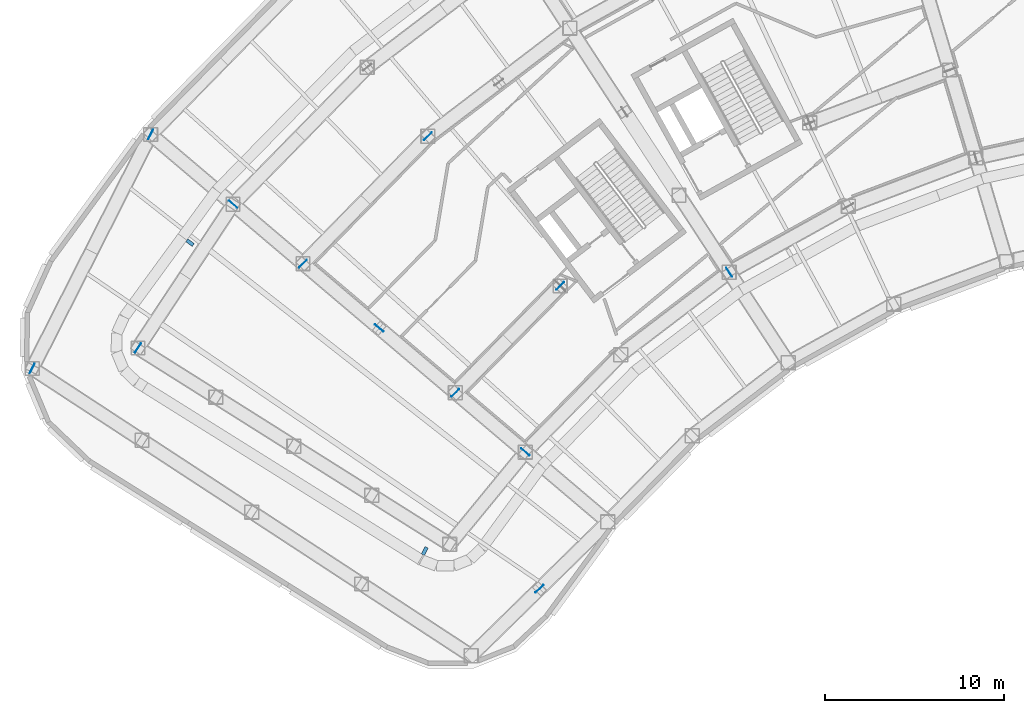
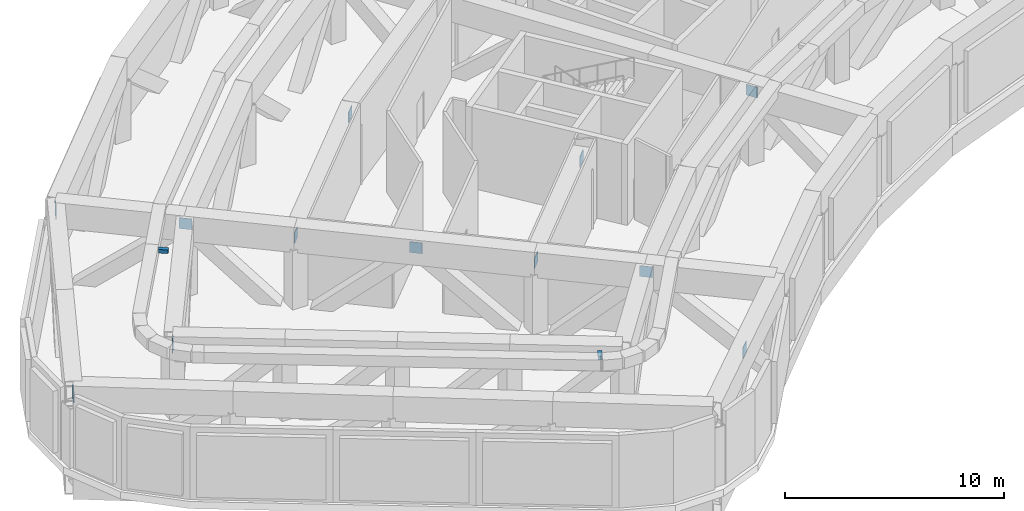
# One storey, part 19 of 30: 14 discrete accessories.
"""IFC4 building model written with IfcOpenShell, lengths in metres."""

from ifc_helpers import new_model, si_unit, direction, frame, origin, origin_2d, place, context, subcontext, project, spatial, rectangle, extrude, material, type_object, element, save


model = new_model("IFC4")

# Units and contexts
model_context = context("Model", 3, precision=1e-05, world=origin(), true_north=direction((0.0, 1.0)))
body_context = subcontext(model_context, "Body", "Model", "MODEL_VIEW")
ifc_project = project(units=[si_unit("LENGTHUNIT", "METRE"), si_unit("AREAUNIT", "SQUARE_METRE"), si_unit("VOLUMEUNIT", "CUBIC_METRE"), si_unit("PLANEANGLEUNIT", "RADIAN"), si_unit("MASSUNIT", "GRAM", prefix="KILO")], contexts=[model_context])

# Site, building, storey
site_placement = place(None, origin())
site = spatial("IfcSite", under=ifc_project, at=site_placement, CompositionType="ELEMENT")
building_placement = place(site_placement, origin())
building = spatial("IfcBuilding", under=site, at=building_placement, Name="Tuul Gate Civic Tower", CompositionType="ELEMENT")
storey_placement = place(building_placement, frame((0.0, 0.0, 26.699951171875)))
storey = spatial("IfcBuildingStorey", under=building, at=storey_placement, Name="Plant and refuge floor 1", CompositionType="ELEMENT", Elevation=26.699951171875)

# Discrete accessories
ifc_material_1 = material(Name="Steel S355", Category="steel")
discrete_accessory_type_1 = type_object("IfcDiscreteAccessoryType", Name="Gusset plate", PredefinedType="BRACKET", material=ifc_material_1)
for number, where, z_axis, x_axis, name in (
    (1, (-56.372314453125, -12.217041015625, 3.50341796875), (0.0, 0.0, 1.0), (-0.762835003285, 0.646593193409, 0.0), "Gusset plate"),
    (2, (-40.081298828125, -26.025634765625, 3.503173828125), (0.0, 0.0, 1.0), (-0.762835003285, 0.646593193409, 0.0), "Gusset plate"),
    (3, (-28.726318359375, -16.005859375, 3.503173828125), (0.0, 0.0, 1.0), (-0.546705342807, 0.837325067191, 0.0), "Gusset plate"),
    (4, (-48.2265625, -19.1220703125, 3.50341796875), (0.0, 0.0, 1.0), (-0.762835003285, 0.646593193409, 0.0), "Gusset plate"),
    (5, (-60.96142578125, -8.327392578125, 3.5029296875), (0.0, 0.0, 1.0), (-0.45166929929, -0.892185431443, 0.0), "Gusset plate"),
    (6, (-39.297607421875, -33.64501953125, 3.50341796875), (0.0, 0.0, 1.0), (-0.714249430568, -0.699891242218, 0.0), "Gusset plate"),
    (7, (-67.56396484375, -21.37060546875, 3.502685546875), (0.0, 0.0, 1.0), (0.45166929929, 0.892185431443, 0.0), "Gusset plate"),
    (8, (-52.473876953125, -15.526611328125, 3.50341796875), (0.0, 0.0, 1.0), (0.700011716191, 0.714131358502, 0.0), "Gusset plate"),
    (9, (-45.511474609375, -8.423828125, 3.50341796875), (0.0, 0.0, 1.0), (-0.700011716191, -0.714131358502, 0.0), "Gusset plate"),
    (10, (-61.6728515625, -20.23291015625, 3.503662109375), (0.0, 0.0, 1.0), (0.551597524527, 0.834110406922, 0.0), "Gusset plate"),
    (11, (-43.98388671875, -22.722412109375, 3.50390625), (0.0, 0.0, 1.0), (0.700009397894, 0.714133630954, 0.0), "Gusset plate"),
    (12, (-38.147705078125, -16.768310546875, 3.50390625), (0.0, 0.0, 1.0), (-0.700009397894, -0.714133630954, 0.0), "Gusset plate"),
):
    element("IfcDiscreteAccessory", number, at=place(storey_placement, frame(where, z_axis=z_axis, x_axis=x_axis)), inside=storey, type_object=discrete_accessory_type_1, Name=name, PredefinedType="BRACKET", context=body_context, shape_type="SweptSolid", body=[
        extrude(rectangle(XDim=0.60009765625, YDim=0.030029296875, at=origin_2d()), origin(), (0.0, 0.0, 1.0), 0.60009765625),
    ])
ifc_material_2 = material(Name="Stainless steel", Category="steel")
discrete_accessory_type_2 = type_object("IfcDiscreteAccessoryType", Name="Screen bracket", PredefinedType="BRACKET", material=ifc_material_2)
discrete_accessory_1_placement = place(storey_placement, frame((-58.768310546875, -14.354248046875, 4.35009765625), z_axis=(0.0, 0.0, 1.0), x_axis=(-0.80294649187, 0.596051114582, 0.0)))
element("IfcDiscreteAccessory", 13, at=discrete_accessory_1_placement, inside=storey, type_object=discrete_accessory_type_2, Name="Screen bracket 16", PredefinedType="BRACKET", context=body_context, shape_type="SweptSolid", body=[
    extrude(rectangle(XDim=0.449951171875, YDim=0.199951171875, at=origin_2d()), origin(), (0.0, 0.0, 1.0), 0.199951171875),
])
discrete_accessory_2_placement = place(storey_placement, frame((-45.692138671875, -31.53662109375, 4.35009765625), z_axis=(0.0, 0.0, 1.0), x_axis=(-0.448835572436, -0.893614362528, 0.0)))
element("IfcDiscreteAccessory", 14, at=discrete_accessory_2_placement, inside=storey, type_object=discrete_accessory_type_2, Name="Screen bracket 19", PredefinedType="BRACKET", context=body_context, shape_type="SweptSolid", body=[
    extrude(rectangle(XDim=0.451904296875, YDim=0.199951171875, at=origin_2d()), origin(), (0.0, 0.0, 1.0), 0.199951171875),
])

save(model, "model.ifc")
